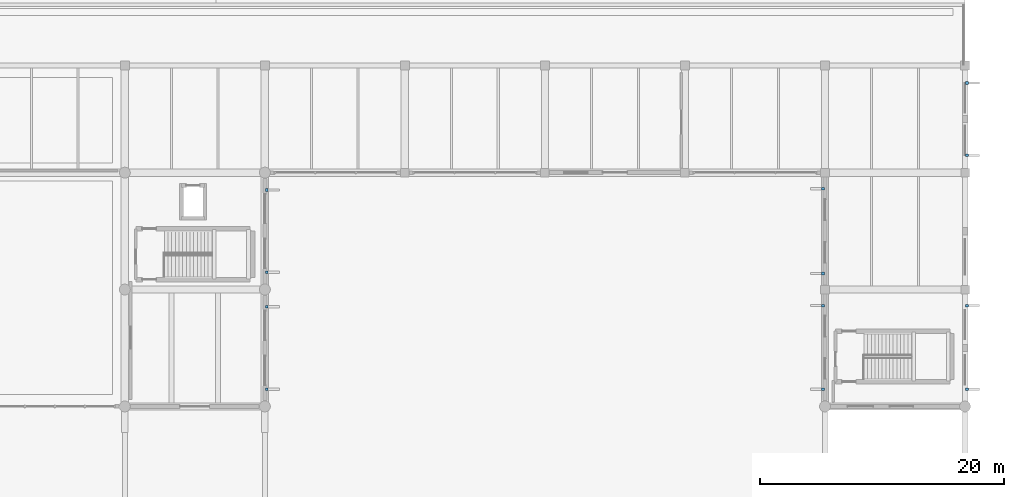
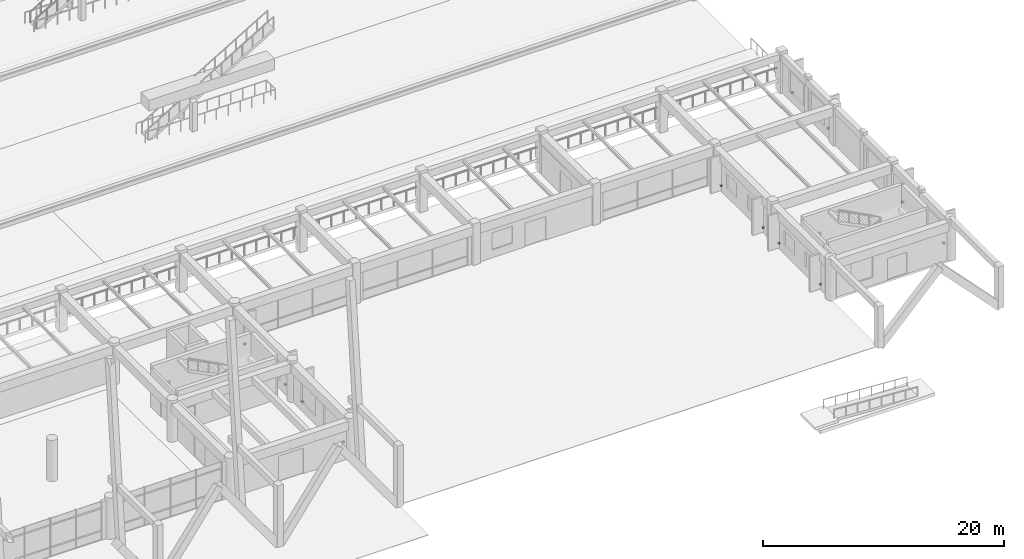
# One storey, part 97 of 109: 12 discrete accessories.
"""IFC4 building model written with IfcOpenShell, lengths in metres."""

from ifc_helpers import new_model, si_unit, direction, frame, origin, origin_2d, place, context, subcontext, project, spatial, rectangle, extrude, material, type_object, element, save


model = new_model("IFC4")

# Units and contexts
model_context = context("Model", 3, precision=1e-05, world=origin(), true_north=direction((0.0, 1.0)))
body_context = subcontext(model_context, "Body", "Model", "MODEL_VIEW")
ifc_project = project(units=[si_unit("LENGTHUNIT", "METRE"), si_unit("AREAUNIT", "SQUARE_METRE"), si_unit("VOLUMEUNIT", "CUBIC_METRE"), si_unit("PLANEANGLEUNIT", "RADIAN"), si_unit("MASSUNIT", "GRAM", prefix="KILO")], contexts=[model_context])

# Site, building, storey
site_placement = place(None, origin())
site = spatial("IfcSite", under=ifc_project, at=site_placement, CompositionType="ELEMENT")
building_placement = place(site_placement, origin())
building = spatial("IfcBuilding", under=site, at=building_placement, Name="Ologun Quay Terminus", CompositionType="ELEMENT")
storey_placement = place(building_placement, origin())
storey = spatial("IfcBuildingStorey", under=building, at=storey_placement, Name="L00", CompositionType="ELEMENT", Elevation=0.0)

# Discrete accessories
ifc_material = material(Name="Steel S355", Category="steel")
discrete_accessory_type = type_object("IfcDiscreteAccessoryType", Name="Solar Fin Stainless Support Bracket", PredefinedType="BRACKET", material=ifc_material)
for number, where, z_axis, x_axis, name in (
    (1, (126.659912109375, 9.419921875, 0.52001953125), (0.0, 0.0, 1.0), (1.0, 0.0, 0.0), "BRK-01 Solar Fin Bracket WEW-SA-L00-2-7-1"),
    (2, (126.659912109375, 16.179931640625, 0.52001953125), (0.0, 0.0, 1.0), (1.0, 0.0, 0.0), "BRK-01 Solar Fin Bracket WEW-SA-L00-2-7-2"),
    (3, (126.659912109375, 19.02001953125, 0.52001953125), (0.0, 0.0, 1.0), (1.0, 0.0, 0.0), "BRK-01 Solar Fin Bracket WEW-SA-L00-2-8-1"),
    (4, (126.659912109375, 25.780029296875, 0.52001953125), (0.0, 0.0, 1.0), (1.0, 0.0, 0.0), "BRK-01 Solar Fin Bracket WEW-SA-L00-2-8-2"),
    (5, (172.340087890625, 9.419921875, 0.52001953125), (0.0, 0.0, 1.0), (1.0, 0.0, 0.0), "BRK-01 Solar Fin Bracket WEW-SA-L00-3-5-1"),
    (6, (172.340087890625, 16.280029296875, 0.52001953125), (0.0, 0.0, 1.0), (1.0, 0.0, 0.0), "BRK-01 Solar Fin Bracket WEW-SA-L00-3-5-2"),
    (7, (172.340087890625, 18.919921875, 0.52001953125), (0.0, 0.0, 1.0), (1.0, 0.0, 0.0), "BRK-01 Solar Fin Bracket WEW-SA-L00-3-6-1"),
    (8, (172.340087890625, 25.8798828125, 0.52001953125), (0.0, 0.0, 1.0), (1.0, 0.0, 0.0), "BRK-01 Solar Fin Bracket WEW-SA-L00-3-6-2"),
    (9, (184.159912109375, 9.419921875, 0.52001953125), (0.0, 0.0, 1.0), (1.0, 0.0, 0.0), "BRK-01 Solar Fin Bracket WEW-SA-L00-3-8-1"),
    (10, (184.159912109375, 16.280029296875, 0.52001953125), (0.0, 0.0, 1.0), (1.0, 0.0, 0.0), "BRK-01 Solar Fin Bracket WEW-SA-L00-3-8-2"),
    (11, (184.159912109375, 28.6201171875, 0.52001953125), (0.0, 0.0, 1.0), (1.0, 0.0, 0.0), "BRK-01 Solar Fin Bracket WEW-SA-L00-3-10-1"),
    (12, (184.159912109375, 34.554931640625, 0.52001953125), (0.0, 0.0, 1.0), (1.0, 0.0, 0.0), "BRK-01 Solar Fin Bracket WEW-SA-L00-3-10-2"),
):
    element("IfcDiscreteAccessory", number, at=place(storey_placement, frame(where, z_axis=z_axis, x_axis=x_axis)), inside=storey, type_object=discrete_accessory_type, Name=name, PredefinedType="BRACKET", context=body_context, shape_type="SweptSolid", body=[
        extrude(rectangle(XDim=0.219970703125, YDim=0.219970703125, at=origin_2d()), origin(), (0.0, 0.0, 1.0), 0.159912109375),
    ])

save(model, "model.ifc")
